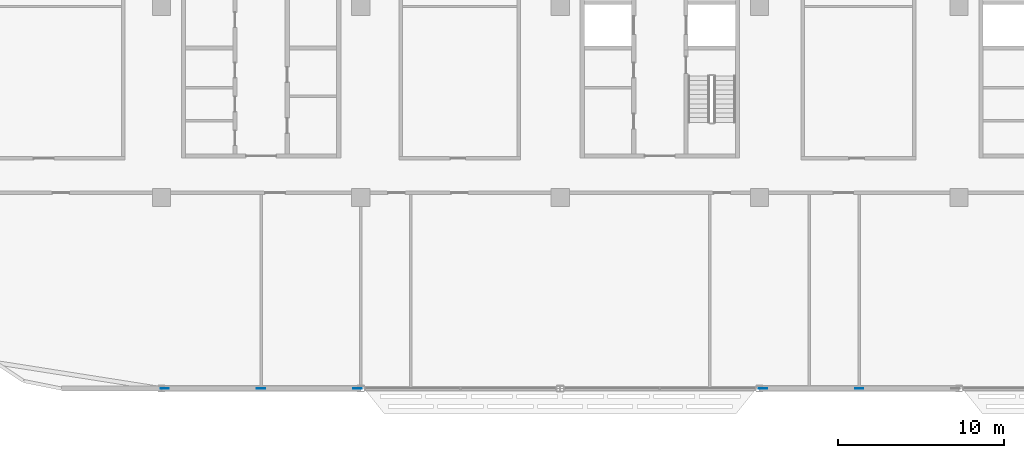
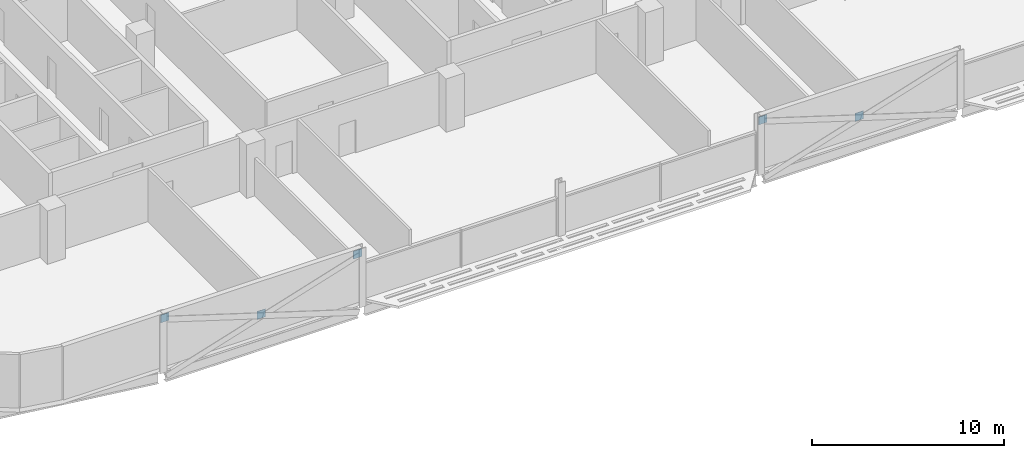
# One storey, part 20 of 30: 5 discrete accessories.
"""IFC4 building model written with IfcOpenShell, lengths in metres."""

from ifc_helpers import new_model, si_unit, direction, frame, origin, origin_2d, place, context, subcontext, project, spatial, rectangle, extrude, material, layer, layer_set, type_object, element, save


model = new_model("IFC4")

# Units and contexts
model_context = context("Model", 3, precision=1e-05, world=origin(), true_north=direction((0.0, 1.0)))
body_context = subcontext(model_context, "Body", "Model", "MODEL_VIEW")
ifc_project = project(units=[si_unit("LENGTHUNIT", "METRE"), si_unit("AREAUNIT", "SQUARE_METRE"), si_unit("VOLUMEUNIT", "CUBIC_METRE"), si_unit("PLANEANGLEUNIT", "RADIAN"), si_unit("MASSUNIT", "GRAM", prefix="KILO")], contexts=[model_context])

# Site, building, storey
site_placement = place(None, origin())
site = spatial("IfcSite", under=ifc_project, at=site_placement, CompositionType="ELEMENT")
building_placement = place(site_placement, origin())
building = spatial("IfcBuilding", under=site, at=building_placement, Name="Mahtab Terrace Research Tower", CompositionType="ELEMENT")
storey_placement = place(building_placement, frame((0.0, 0.0, 220.5)))
storey = spatial("IfcBuildingStorey", under=building, at=storey_placement, Name="L53", CompositionType="ELEMENT", Elevation=220.5)

# Discrete accessories
ifc_material = material(Name="Steel ASTM A992 Gr 50", Category="steel")
ifc_layer = layer(ifc_material, 0.030029296875)
ifc_layer_set = layer_set([ifc_layer], Name="Gusset plate 500x500x30")
discrete_accessory_type = type_object("IfcDiscreteAccessoryType", Name="Gusset plate 500x500x30", PredefinedType="USERDEFINED", material=ifc_layer_set)
for number, where, z_axis, x_axis, name in (
    (1, (-29.79931640625, -23.0, 2.748291015625), (0.0, 0.0, 1.0), (1.0, 0.0, 0.0), "Gusset plate"),
    (2, (-24.0, -23.0, 0.94091796875), (0.0, 0.0, 1.0), (1.0, 0.0, 0.0), "Gusset plate"),
    (3, (-18.20068359375, -23.0, 2.748291015625), (0.0, 0.0, 1.0), (1.0, 0.0, 0.0), "Gusset plate"),
    (4, (6.20068359375, -23.0, 2.748291015625), (0.0, 0.0, 1.0), (1.0, 0.0, 0.0), "Gusset plate"),
    (5, (12.0, -23.0, 0.94091796875), (0.0, 0.0, 1.0), (1.0, 0.0, 0.0), "Gusset plate"),
):
    element("IfcDiscreteAccessory", number, at=place(storey_placement, frame(where, z_axis=z_axis, x_axis=x_axis)), inside=storey, type_object=discrete_accessory_type, Name=name, ObjectType="GUSSET PLATE", PredefinedType="USERDEFINED", context=body_context, shape_type="SweptSolid", body=[
        extrude(rectangle(XDim=0.5, YDim=0.030029296875, at=origin_2d()), origin(), (0.0, 0.0, 1.0), 0.5),
    ])

save(model, "model.ifc")
